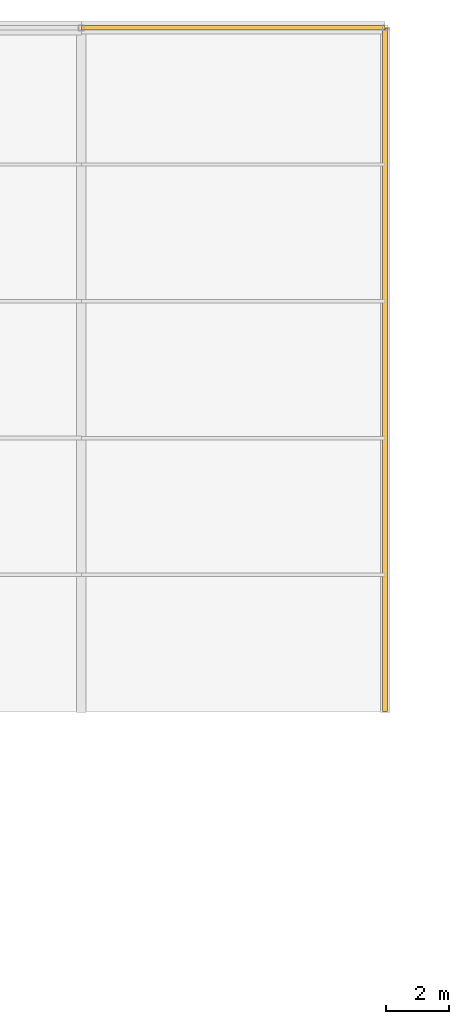
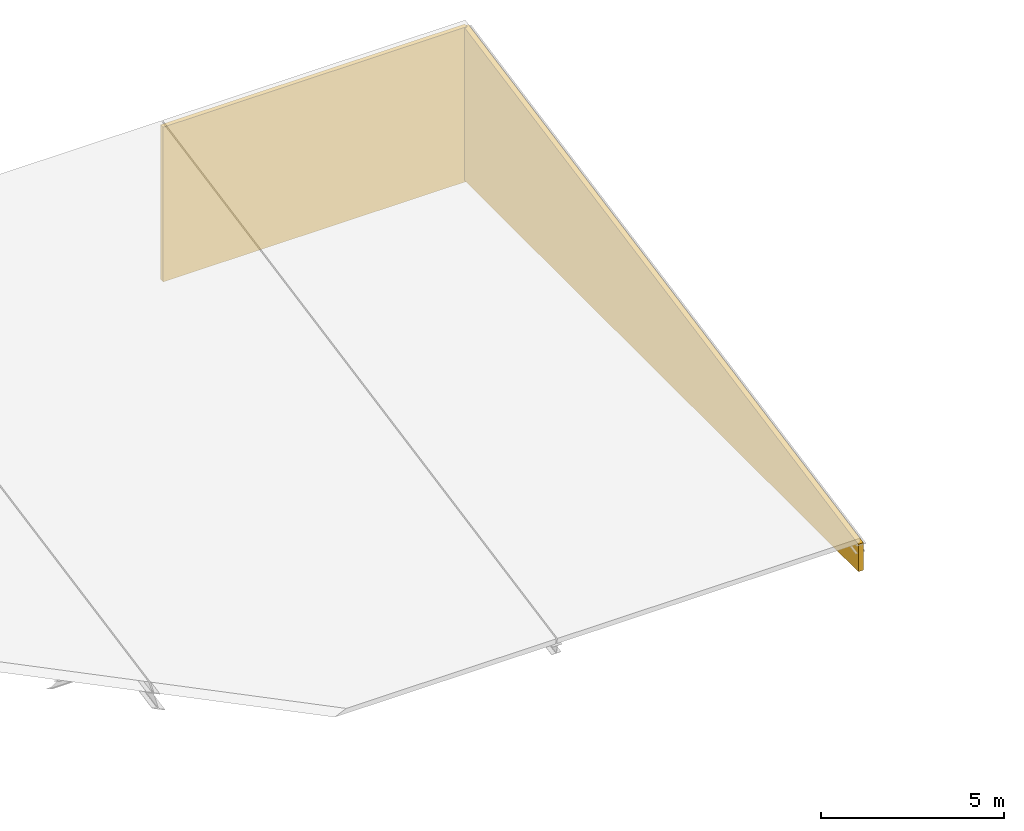
# One storey, part 80 of 80: 2 coverings.
"""IFC4 building model written with IfcOpenShell, lengths in metres."""

from ifc_helpers import new_model, si_unit, direction, frame, frame_2d, origin, place, context, subcontext, project, spatial, polyline, rectangle, outline, extrude, material, layer, layer_set, type_object, element, save


model = new_model("IFC4")

# Units and contexts
model_context = context("Model", 3, precision=1e-05, world=origin(), true_north=direction((0.0, 1.0)))
body_context = subcontext(model_context, "Body", "Model", "MODEL_VIEW")
ifc_project = project(units=[si_unit("LENGTHUNIT", "METRE"), si_unit("AREAUNIT", "SQUARE_METRE"), si_unit("VOLUMEUNIT", "CUBIC_METRE"), si_unit("PLANEANGLEUNIT", "RADIAN"), si_unit("MASSUNIT", "GRAM", prefix="KILO")], contexts=[model_context])

# Site, building, storey
site_placement = place(None, origin())
site = spatial("IfcSite", under=ifc_project, at=site_placement, CompositionType="ELEMENT")
building_placement = place(site_placement, origin())
building = spatial("IfcBuilding", under=site, at=building_placement, Name="Fikremerkos Civic Library", CompositionType="ELEMENT")
storey_placement = place(building_placement, frame((0.0, 0.0, 9.89990234375)))
storey = spatial("IfcBuildingStorey", under=building, at=storey_placement, Name="L02", CompositionType="ELEMENT", Elevation=9.89990234375)

# Coverings
ifc_material_1 = material(Name="Anodised aluminium mullion and transom", Category="aluminium")
ifc_layer_1 = layer(ifc_material_1, 0.139892578125, Name="Anodised aluminium mullion and transom")
ifc_layer_set_1 = layer_set([ifc_layer_1], Name="Anodised aluminium mullion and transom")
covering_type_1 = type_object("IfcCoveringType", Name="Anodised aluminium clerestory closure CLD-03", PredefinedType="CLADDING", material=ifc_layer_set_1)
covering_1_placement = place(storey_placement, frame((124.800048828125, 117.60009765625, -1.14990234375), z_axis=(0.0, 0.0, 1.0), x_axis=(1.0, 0.0, 0.0)))
element("IfcCovering", 1, at=covering_1_placement, inside=storey, type_object=covering_type_1, Name="Children's pavilion north-light clerestory closure CLD-03 bay 5", PredefinedType="CLADDING", context=body_context, shape_type="SweptSolid", body=[
    extrude(rectangle(XDim=9.599853515625, YDim=0.139892578125, at=frame_2d((4.7998046875, 0.0))), origin(), (0.0, 0.0, 1.0), 5.1650390625),
])
ifc_material_2 = material(Name="Precast basalt cladding panel", Category="masonry")
ifc_layer_2 = layer(ifc_material_2, 0.159912109375, Name="Precast basalt cladding panel")
ifc_layer_set_2 = layer_set([ifc_layer_2], Name="Precast basalt cladding panel")
covering_type_2 = type_object("IfcCoveringType", Name="Precast basalt cladding panel CLD-02", PredefinedType="CLADDING", material=ifc_layer_set_2)
covering_2_placement = place(storey_placement, frame((134.39990234375, 96.0, -1.099853515625), z_axis=(0.0, 0.0, 1.0), x_axis=(0.0, 1.0, 0.0)))
element("IfcCovering", 2, at=covering_2_placement, inside=storey, type_object=covering_type_2, Name="Children's pavilion east mono-pitch gable closure CLD-02", PredefinedType="CLADDING", context=body_context, shape_type="SweptSolid", body=[
    extrude(outline(polyline([(0.0, 0.0), (21.60009765625, 0.0), (21.60009765625, 5.114990234375), (0.0, 0.9150390625), (0.0, 0.0)])), frame((0.0, 0.080078125, 0.0), z_axis=(0.0, -1.0, 0.0), x_axis=(1.0, 0.0, 0.0)), (0.0, 0.0, 1.0), 0.159912109375),
])

save(model, "model.ifc")
